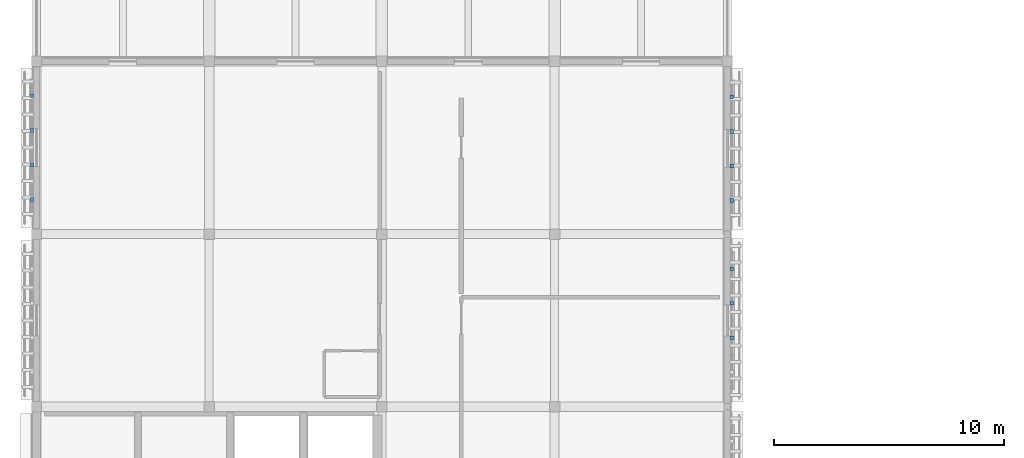
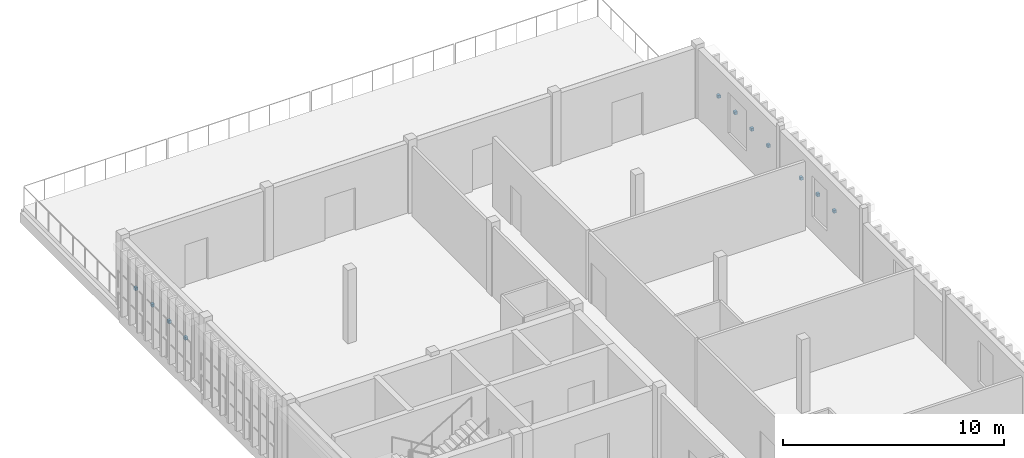
# One storey, part 8 of 13: 11 discrete accessories.
"""IFC4 building model written with IfcOpenShell, lengths in metres."""

from ifc_helpers import new_model, si_unit, direction, frame, origin, origin_2d, place, context, subcontext, project, spatial, rectangle, extrude, material, type_object, element, save


model = new_model("IFC4")

# Units and contexts
model_context = context("Model", 3, precision=1e-05, world=origin(), true_north=direction((0.0, 1.0)))
body_context = subcontext(model_context, "Body", "Model", "MODEL_VIEW")
ifc_project = project(units=[si_unit("LENGTHUNIT", "METRE"), si_unit("AREAUNIT", "SQUARE_METRE"), si_unit("VOLUMEUNIT", "CUBIC_METRE"), si_unit("PLANEANGLEUNIT", "RADIAN"), si_unit("MASSUNIT", "GRAM", prefix="KILO")], contexts=[model_context])

# Site, building, storey
site_placement = place(None, origin())
site = spatial("IfcSite", under=ifc_project, at=site_placement, CompositionType="ELEMENT")
building_placement = place(site_placement, origin())
building = spatial("IfcBuilding", under=site, at=building_placement, Name="Dalvernix Boulevard General Hospital", CompositionType="ELEMENT")
storey_placement = place(building_placement, frame((0.0, 0.0, 30.0)))
storey = spatial("IfcBuildingStorey", under=building, at=storey_placement, Name="L07", CompositionType="ELEMENT", Elevation=30.0)

# Discrete accessories
ifc_material = material(Name="Stainless steel 1.4404 fixing bracket", Category="steel")
discrete_accessory_type = type_object("IfcDiscreteAccessoryType", Name="ACC-BRK-01", PredefinedType="BRACKET", material=ifc_material)
for number, where, z_axis, x_axis, name in (
    (1, (-0.18994140625, 70.5, 1.8349609375), (0.0, 0.0, 1.0), (0.0, 1.0, 0.0), "L07 screen support bracket 1"),
    (2, (-0.18994140625, 72.0, 1.8349609375), (0.0, 0.0, 1.0), (0.0, 1.0, 0.0), "L07 screen support bracket 2"),
    (3, (-0.18994140625, 73.5, 1.8349609375), (0.0, 0.0, 1.0), (0.0, 1.0, 0.0), "L07 screen support bracket 3"),
    (4, (-0.18994140625, 75.0, 1.8349609375), (0.0, 0.0, 1.0), (0.0, 1.0, 0.0), "L07 screen support bracket 4"),
    (5, (30.18994140625, 67.5, 1.8349609375), (0.0, 0.0, 1.0), (0.0, -1.0, 0.0), "L07 screen support bracket 1"),
    (6, (30.18994140625, 66.0, 1.8349609375), (0.0, 0.0, 1.0), (0.0, -1.0, 0.0), "L07 screen support bracket 2"),
    (7, (30.18994140625, 64.5, 1.8349609375), (0.0, 0.0, 1.0), (0.0, -1.0, 0.0), "L07 screen support bracket 3"),
    (8, (30.18994140625, 74.95751953125, 1.8349609375), (0.0, 0.0, 1.0), (0.0, -1.0, 0.0), "L07 screen support bracket 1"),
    (9, (30.18994140625, 73.45751953125, 1.8349609375), (0.0, 0.0, 1.0), (0.0, -1.0, 0.0), "L07 screen support bracket 2"),
    (10, (30.18994140625, 71.95751953125, 1.8349609375), (0.0, 0.0, 1.0), (0.0, -1.0, 0.0), "L07 screen support bracket 3"),
    (11, (30.18994140625, 70.45751953125, 1.8349609375), (0.0, 0.0, 1.0), (0.0, -1.0, 0.0), "L07 screen support bracket 4"),
):
    element("IfcDiscreteAccessory", number, at=place(storey_placement, frame(where, z_axis=z_axis, x_axis=x_axis)), inside=storey, type_object=discrete_accessory_type, Name=name, PredefinedType="BRACKET", context=body_context, shape_type="SweptSolid", body=[
        extrude(rectangle(XDim=0.159912109375, YDim=0.139892578125, at=origin_2d()), origin(), (0.0, 0.0, 1.0), 0.159912109375),
    ])

save(model, "model.ifc")
